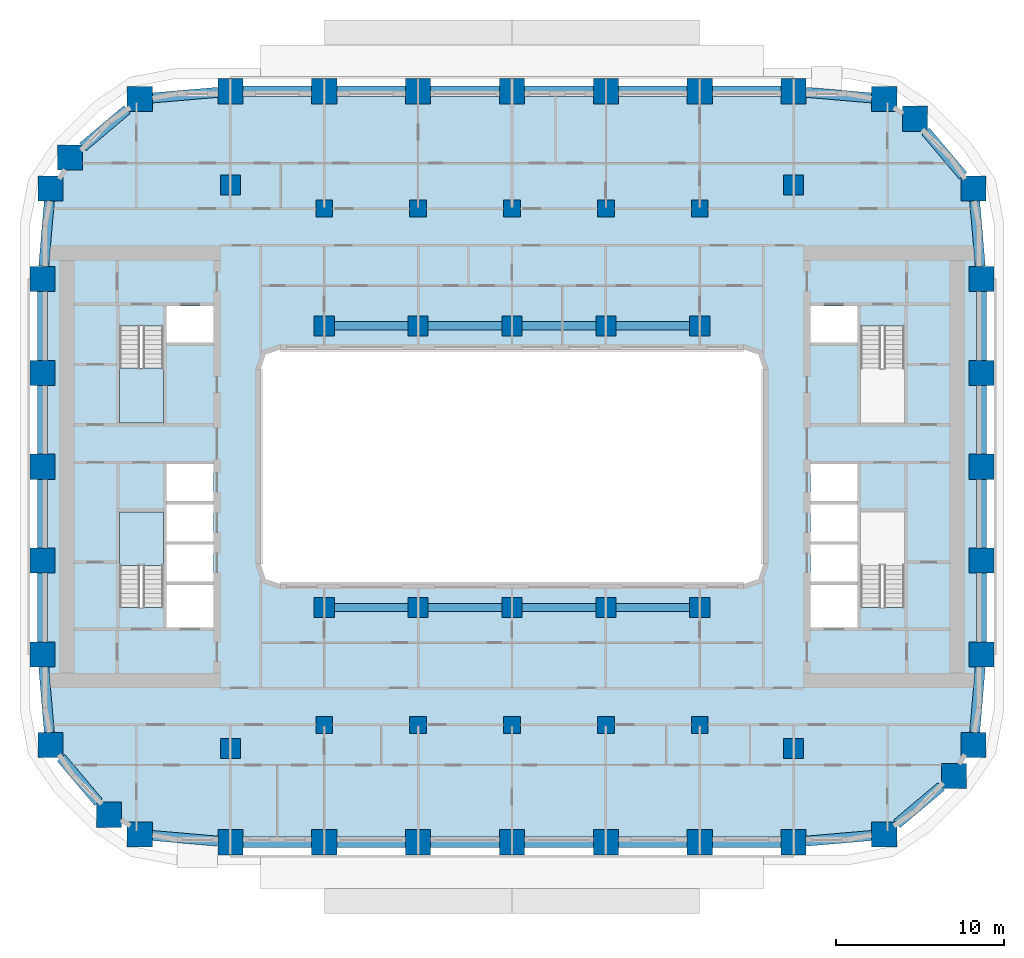
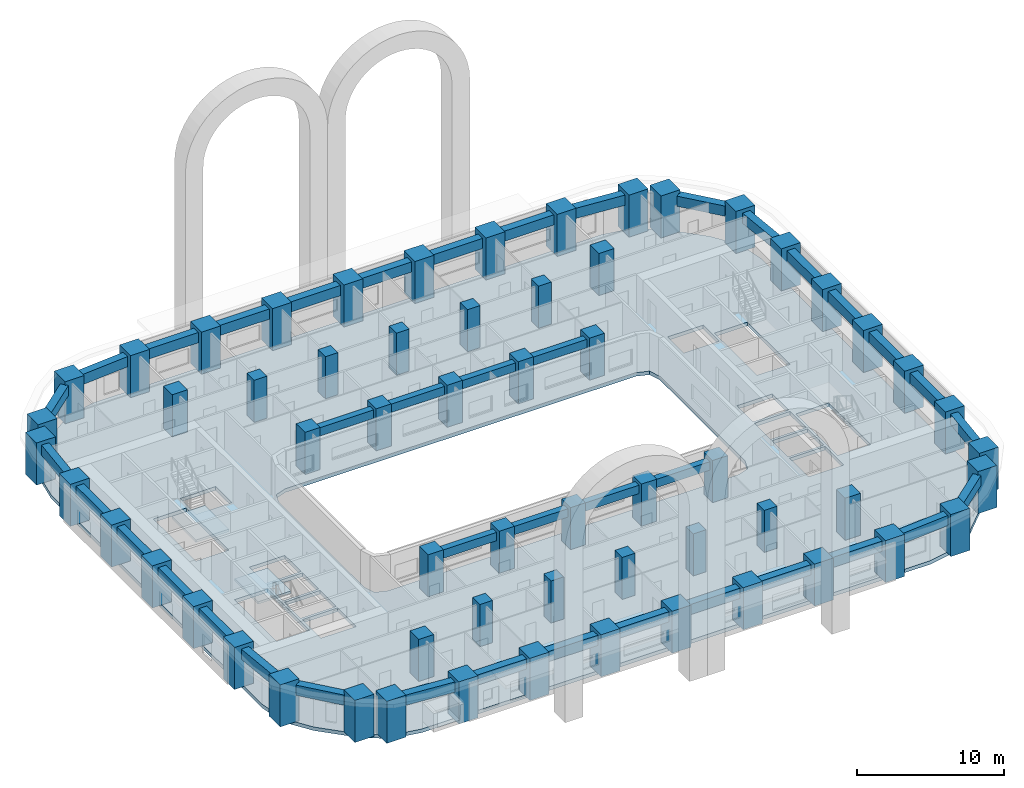
# One storey, part 1 of 21: 60 columns, 40 beams, 3 slabs, 2 elements without a shape of their own.
"""IFC4 building model written with IfcOpenShell, lengths in metres."""

import ifcopenshell
import ifcopenshell.guid

model = None  # the IFC model being written
_history = None  # IfcOwnerHistory: only IFC2X3 demands one
_inside = {}  # id of a spatial element -> (the spatial element, [elements in it])
_under = {}  # id of a project, library or spatial element -> (it, [spatial elements below it])
_declared = {}  # id of a project -> (the project, [libraries it declares])
_typed = {}  # id of a type object -> (the type object, [elements of that type])
_made_of = {}  # id of a material, layer set ... -> (it, [elements and type objects made of it])


def new_model(schema):
    """Start an empty IFC model of exactly this schema.

    Asked for "IFC4X3", IfcOpenShell would pick the latest addendum, in which some entities
    have other attributes; the version numbers below select the first issue.
    IFC2X3 requires an IfcOwnerHistory on every rooted entity: one is made here for all.
    """
    global model, _history
    if schema == "IFC4X3":
        model = ifcopenshell.file(schema_version=(4, 3, 0, 0))
    else:
        model = ifcopenshell.file(schema=schema)
    _inside.clear()
    _under.clear()
    _declared.clear()
    _typed.clear()
    _made_of.clear()
    _history = None
    if model.schema == "IFC2X3":
        org = make("IfcOrganization", Name="unknown")
        user = make(
            "IfcPersonAndOrganization",
            ThePerson=make("IfcPerson", FamilyName="unknown"),
            TheOrganization=org,
        )
        app = make(
            "IfcApplication",
            ApplicationDeveloper=org,
            Version="unknown",
            ApplicationFullName="unknown",
            ApplicationIdentifier="unknown",
        )
        _history = make(
            "IfcOwnerHistory",
            OwningUser=user,
            OwningApplication=app,
            ChangeAction="ADDED",
            CreationDate=0,
        )
    return model


def make(cls, **values):
    """One entity of the class cls with the attributes given. An attribute that is None is left unset."""
    return model.create_entity(
        cls, **{name: value for name, value in values.items() if value is not None}
    )


def rooted(cls, **values):
    """An entity with a GlobalId (a new one), such as an element, a storey or a relation."""
    return make(cls, GlobalId=ifcopenshell.guid.new(), OwnerHistory=_history, **values)


def si_unit(unit_type, name, prefix=None):
    """IfcSIUnit, for example si_unit("LENGTHUNIT", "METRE", prefix="MILLI")."""
    return make("IfcSIUnit", UnitType=unit_type, Prefix=prefix, Name=name)


def assignment(units):
    """IfcUnitAssignment: the units of a project."""
    return None if units is None else make("IfcUnitAssignment", Units=units)


def point(xyz):
    """IfcCartesianPoint."""
    return None if xyz is None else make("IfcCartesianPoint", Coordinates=xyz)


def direction(xyz):
    """IfcDirection."""
    return None if xyz is None else make("IfcDirection", DirectionRatios=xyz)


def frame(location, z_axis=None, x_axis=None):
    """IfcAxis2Placement3D, a coordinate frame: its origin and axes. An axis left out is left unset."""
    return make(
        "IfcAxis2Placement3D",
        Location=point(location),
        Axis=direction(z_axis),
        RefDirection=direction(x_axis),
    )


def frame_2d(location, x_axis=None):
    """IfcAxis2Placement2D, a coordinate frame in the plane: its origin and x axis."""
    return make(
        "IfcAxis2Placement2D", Location=point(location), RefDirection=direction(x_axis)
    )


def origin():
    """The frame at (0, 0, 0) with its axes left unset."""
    return frame((0.0, 0.0, 0.0))


def origin_2d():
    """The frame at (0, 0) in the plane with its x axis left unset."""
    return frame_2d((0.0, 0.0))


def place(relative_to, where):
    """IfcLocalPlacement: puts the frame where relative to a parent placement (None: the world)."""
    return make(
        "IfcLocalPlacement", PlacementRelTo=relative_to, RelativePlacement=where
    )


def context(
    kind, dimensions, precision=None, world=None, true_north=None, identifier=None
):
    """IfcGeometricRepresentationContext, for example the 3D "Model" context."""
    return make(
        "IfcGeometricRepresentationContext",
        ContextIdentifier=identifier,
        ContextType=kind,
        CoordinateSpaceDimension=dimensions,
        Precision=precision,
        WorldCoordinateSystem=world,
        TrueNorth=true_north,
    )


def subcontext(parent, identifier, kind, view, scale=None):
    """IfcGeometricRepresentationSubContext, for example "Body" below "Model"."""
    return make(
        "IfcGeometricRepresentationSubContext",
        ContextIdentifier=identifier,
        ContextType=kind,
        ParentContext=parent,
        TargetScale=scale,
        TargetView=view,
    )


def project(units=None, contexts=None):
    """IfcProject with its units and contexts."""
    return rooted(
        "IfcProject",
        Name="project",
        RepresentationContexts=contexts,
        UnitsInContext=assignment(units),
    )


def spatial(cls, under=None, at=None, **own):
    """A site, building, storey or space (cls), placed at a placement, below another one or the project."""
    s = rooted(cls, ObjectPlacement=at, **own)
    if under is not None:
        _under.setdefault(under.id(), (under, []))[1].append(s)
    return s


def polyline(points):
    """IfcPolyline through the points."""
    return make("IfcPolyline", Points=[point(p) for p in points])


def profile(cls, at=None, kind="AREA", **sizes):
    """A parametric profile (cls). Its sizes go by their IFC names, for example OverallWidth=200.0."""
    return make(cls, ProfileType=kind, Position=at, **sizes)


def rectangle(**sizes):
    """IfcRectangleProfileDef."""
    return profile("IfcRectangleProfileDef", **sizes)


def outline(outer, holes=None, kind="AREA"):
    """IfcArbitraryClosedProfileDef: a profile drawn as a closed curve; with holes, ...WithVoids."""
    if holes is None:
        return make("IfcArbitraryClosedProfileDef", ProfileType=kind, OuterCurve=outer)
    return make(
        "IfcArbitraryProfileDefWithVoids",
        ProfileType=kind,
        OuterCurve=outer,
        InnerCurves=holes,
    )


def extrude(swept, where, along, depth):
    """IfcExtrudedAreaSolid: the profile swept, set in the frame where, extruded along a direction by depth."""
    return make(
        "IfcExtrudedAreaSolid",
        SweptArea=swept,
        Position=where,
        ExtrudedDirection=direction(along),
        Depth=depth,
    )


def shape(context_of_items, identifier, shape_type, items):
    """IfcShapeRepresentation: the items that make up one representation, for example the "Body"."""
    return make(
        "IfcShapeRepresentation",
        ContextOfItems=context_of_items,
        RepresentationIdentifier=identifier,
        RepresentationType=shape_type,
        Items=items,
    )


def material(Name=None, Category=None):
    """IfcMaterial."""
    return make("IfcMaterial", Name=Name, Category=Category)


def layer(
    of_material, thickness, ventilated=None, Name=None, Category=None, Priority=None
):
    """IfcMaterialLayer: one layer of a wall or slab, of a material (None: an air gap)."""
    return make(
        "IfcMaterialLayer",
        Material=of_material,
        LayerThickness=thickness,
        IsVentilated=ventilated,
        Name=Name,
        Category=Category,
        Priority=Priority,
    )


def layer_set(layers, Name=None):
    """IfcMaterialLayerSet."""
    return make("IfcMaterialLayerSet", MaterialLayers=layers, LayerSetName=Name)


def material_profile(
    of_material, cross_section, Name=None, Category=None, Priority=None
):
    """IfcMaterialProfile: a cross section and its material."""
    return make(
        "IfcMaterialProfile",
        Name=Name,
        Material=of_material,
        Profile=cross_section,
        Priority=Priority,
        Category=Category,
    )


def profile_set(profiles, Name=None, composite=None):
    """IfcMaterialProfileSet."""
    return make(
        "IfcMaterialProfileSet",
        Name=Name,
        MaterialProfiles=profiles,
        CompositeProfile=composite,
    )


def made_of(thing, what):
    """Note that an element or type object is made of a material, layer set ...; save() writes the relation."""
    if what is not None:
        _made_of.setdefault(what.id(), (what, []))[1].append(thing)
    return thing


def type_object(cls, material=None, **own):
    """A type object (cls), such as IfcWallType, which elements share."""
    return made_of(rooted(cls, **own), material)


def element(
    cls,
    number,
    at=None,
    inside=None,
    cuts=None,
    type_object=None,
    material=None,
    context=None,
    identifier="Body",
    shape_type=None,
    held_by="IfcProductDefinitionShape",
    body=None,
    shapes=None,
    **own,
):
    """One element of the class cls, such as IfcWall. Its Tag is "e" and its number.

    at: its placement. inside: the storey or other place that contains it. cuts: it is an
    opening in that element (IfcRelVoidsElement). A single representation is given by context,
    identifier, shape_type and body (its items); several are given by shapes. held_by: the class
    of the entity that holds the representations. save() writes the other relations.
    """
    e = rooted(cls, Tag="e%d" % number, ObjectPlacement=at, **own)
    if body is not None:
        shapes = [shape(context, identifier, shape_type, body)]
    if shapes is not None:
        e.Representation = make(held_by, Representations=shapes)
    if inside is not None:
        _inside.setdefault(inside.id(), (inside, []))[1].append(e)
    if cuts is not None:
        rooted(
            "IfcRelVoidsElement", RelatingBuildingElement=cuts, RelatedOpeningElement=e
        )
    if type_object is not None:
        _typed.setdefault(type_object.id(), (type_object, []))[1].append(e)
    return made_of(e, material)


def aggregate(whole, parts):
    """IfcRelAggregates: a whole, such as a stair, and the parts it consists of."""
    return rooted("IfcRelAggregates", RelatingObject=whole, RelatedObjects=parts)


def save(model, path):
    """Write the relations noted so far, then the file.

    IfcRelAggregates (storeys below a building ...), IfcRelContainedInSpatialStructure (elements
    in a storey), IfcRelDefinesByType, IfcRelAssociatesMaterial and IfcRelDeclares: one each for
    every whole, place, type object, material and project.
    """
    for whole, parts in _under.values():
        aggregate(whole, parts)
    for where, things in _inside.values():
        rooted(
            "IfcRelContainedInSpatialStructure",
            RelatedElements=things,
            RelatingStructure=where,
        )
    for kind, things in _typed.values():
        rooted("IfcRelDefinesByType", RelatedObjects=things, RelatingType=kind)
    for what, things in _made_of.values():
        rooted("IfcRelAssociatesMaterial", RelatedObjects=things, RelatingMaterial=what)
    for by, libraries in _declared.values():
        rooted("IfcRelDeclares", RelatingContext=by, RelatedDefinitions=libraries)
    model.write(path)


model = new_model("IFC4")

# Units and contexts
model_context = context("Model", 3, precision=1e-05, world=origin(), true_north=direction((0.0, 1.0)))
body_context = subcontext(model_context, "Body", "Model", "MODEL_VIEW")
ifc_project = project(units=[si_unit("LENGTHUNIT", "METRE"), si_unit("AREAUNIT", "SQUARE_METRE"), si_unit("VOLUMEUNIT", "CUBIC_METRE"), si_unit("PLANEANGLEUNIT", "RADIAN"), si_unit("MASSUNIT", "GRAM", prefix="KILO")], contexts=[model_context])

# Site, building, storey
site_placement = place(None, origin())
site = spatial("IfcSite", under=ifc_project, at=site_placement, CompositionType="ELEMENT")
building_placement = place(site_placement, origin())
building = spatial("IfcBuilding", under=site, at=building_placement, Name="Kiln Ring Residences", CompositionType="ELEMENT")
storey_placement = place(building_placement, frame((0.0, 0.0, 51.5)))
storey = spatial("IfcBuildingStorey", under=building, at=storey_placement, Name="L12", CompositionType="ELEMENT", Elevation=51.5)

# Columns
ifc_material_1 = material(Name="Concrete C80/95", Category="concrete")
ifc_material_profile_1 = material_profile(ifc_material_1, rectangle(XDim=1.0, YDim=1.0, at=origin_2d()), Name="RC1000x1000")
ifc_profile_set_1 = profile_set([ifc_material_profile_1], Name="Concrete C80/95")
column_type_1 = type_object("IfcColumnType", Name="Corridor column RC1000x1000 C80/95", PredefinedType="COLUMN", material=ifc_profile_set_1)
for number, where, z_axis, x_axis, name in (
    (1, (-11.199951171875, 15.39990234375, 0.0), (0.0, 0.0, 1.0), (1.0, 0.0, 0.0), "Corridor column L12 1"),
    (2, (-5.60009765625, 15.39990234375, 0.0), (0.0, 0.0, 1.0), (1.0, 0.0, 0.0), "Corridor column L12 2"),
    (3, (0.0, 15.39990234375, 0.0), (0.0, 0.0, 1.0), (1.0, 0.0, 0.0), "Corridor column L12 3"),
    (4, (5.60009765625, 15.39990234375, 0.0), (0.0, 0.0, 1.0), (1.0, 0.0, 0.0), "Corridor column L12 4"),
    (5, (11.199951171875, 15.39990234375, 0.0), (0.0, 0.0, 1.0), (1.0, 0.0, 0.0), "Corridor column L12 5"),
    (6, (-11.199951171875, -15.39990234375, 0.0), (0.0, 0.0, 1.0), (1.0, 0.0, 0.0), "Corridor column L12 6"),
    (7, (-5.60009765625, -15.39990234375, 0.0), (0.0, 0.0, 1.0), (1.0, 0.0, 0.0), "Corridor column L12 7"),
    (8, (0.0, -15.39990234375, 0.0), (0.0, 0.0, 1.0), (1.0, 0.0, 0.0), "Corridor column L12 8"),
    (9, (5.60009765625, -15.39990234375, 0.0), (0.0, 0.0, 1.0), (1.0, 0.0, 0.0), "Corridor column L12 9"),
    (10, (11.199951171875, -15.39990234375, 0.0), (0.0, 0.0, 1.0), (1.0, 0.0, 0.0), "Corridor column L12 10"),
):
    element("IfcColumn", number, at=place(storey_placement, frame(where, z_axis=z_axis, x_axis=x_axis)), inside=storey, type_object=column_type_1, Name=name, PredefinedType="COLUMN", context=body_context, shape_type="SweptSolid", body=[
        extrude(rectangle(XDim=1.0, YDim=1.0, at=origin_2d()), origin(), (0.0, 0.0, 1.0), 3.5),
    ])
ifc_material_2 = material(Name="Concrete C80/95", Category="concrete")
ifc_material_profile_2 = material_profile(ifc_material_2, rectangle(XDim=1.5, YDim=1.5, at=origin_2d()), Name="RC1500x1500")
ifc_profile_set_2 = profile_set([ifc_material_profile_2], Name="Concrete C80/95")
column_type_2 = type_object("IfcColumnType", Name="Perimeter column RC1500x1500 C80/95", PredefinedType="COLUMN", material=ifc_profile_set_2)
for number, where, z_axis, x_axis, name in (
    (11, (-22.208740234375, -21.93798828125, 0.0), (0.0, 0.0, 1.0), (1.0, 0.0, 0.0), "Perimeter column L12 1"),
    (12, (-16.800048828125, -22.39990234375, 0.0), (0.0, 0.0, 1.0), (1.0, 0.0, 0.0), "Perimeter column L12 2"),
    (13, (-11.199951171875, -22.39990234375, 0.0), (0.0, 0.0, 1.0), (1.0, 0.0, 0.0), "Perimeter column L12 3"),
    (14, (-5.60009765625, -22.39990234375, 0.0), (0.0, 0.0, 1.0), (1.0, 0.0, 0.0), "Perimeter column L12 4"),
    (15, (0.0, -22.39990234375, 0.0), (0.0, 0.0, 1.0), (1.0, 0.0, 0.0), "Perimeter column L12 5"),
    (16, (5.60009765625, -22.39990234375, 0.0), (0.0, 0.0, 1.0), (1.0, 0.0, 0.0), "Perimeter column L12 6"),
    (17, (11.199951171875, -22.39990234375, 0.0), (0.0, 0.0, 1.0), (1.0, 0.0, 0.0), "Perimeter column L12 7"),
    (18, (16.800048828125, -22.39990234375, 0.0), (0.0, 0.0, 1.0), (1.0, 0.0, 0.0), "Perimeter column L12 8"),
    (19, (22.208740234375, -21.93798828125, 0.0), (0.0, 0.0, 1.0), (1.0, 0.0, 0.0), "Perimeter column L12 9"),
    (20, (26.35986328125, -18.440185546875, 0.0), (0.0, 0.0, 1.0), (1.0, 0.0, 0.0), "Perimeter column L12 10"),
    (21, (27.5380859375, -16.608642578125, 0.0), (0.0, 0.0, 1.0), (1.0, 0.0, 0.0), "Perimeter column L12 11"),
    (22, (28.0, -11.199951171875, 0.0), (0.0, 0.0, 1.0), (1.0, 0.0, 0.0), "Perimeter column L12 12"),
    (23, (28.0, -5.60009765625, 0.0), (0.0, 0.0, 1.0), (1.0, 0.0, 0.0), "Perimeter column L12 13"),
    (24, (28.0, 0.0, 0.0), (0.0, 0.0, 1.0), (1.0, 0.0, 0.0), "Perimeter column L12 14"),
    (25, (28.0, 5.60009765625, 0.0), (0.0, 0.0, 1.0), (1.0, 0.0, 0.0), "Perimeter column L12 15"),
    (26, (28.0, 11.199951171875, 0.0), (0.0, 0.0, 1.0), (1.0, 0.0, 0.0), "Perimeter column L12 16"),
    (27, (27.5380859375, 16.608642578125, 0.0), (0.0, 0.0, 1.0), (1.0, 0.0, 0.0), "Perimeter column L12 17"),
    (28, (24.040283203125, 20.759765625, 0.0), (0.0, 0.0, 1.0), (1.0, 0.0, 0.0), "Perimeter column L12 18"),
    (29, (22.208740234375, 21.93798828125, 0.0), (0.0, 0.0, 1.0), (1.0, 0.0, 0.0), "Perimeter column L12 19"),
    (30, (16.800048828125, 22.39990234375, 0.0), (0.0, 0.0, 1.0), (1.0, 0.0, 0.0), "Perimeter column L12 20"),
    (31, (11.199951171875, 22.39990234375, 0.0), (0.0, 0.0, 1.0), (1.0, 0.0, 0.0), "Perimeter column L12 21"),
    (32, (5.60009765625, 22.39990234375, 0.0), (0.0, 0.0, 1.0), (1.0, 0.0, 0.0), "Perimeter column L12 22"),
    (33, (0.0, 22.39990234375, 0.0), (0.0, 0.0, 1.0), (1.0, 0.0, 0.0), "Perimeter column L12 23"),
    (34, (-5.60009765625, 22.39990234375, 0.0), (0.0, 0.0, 1.0), (1.0, 0.0, 0.0), "Perimeter column L12 24"),
    (35, (-11.199951171875, 22.39990234375, 0.0), (0.0, 0.0, 1.0), (1.0, 0.0, 0.0), "Perimeter column L12 25"),
    (36, (-16.800048828125, 22.39990234375, 0.0), (0.0, 0.0, 1.0), (1.0, 0.0, 0.0), "Perimeter column L12 26"),
    (37, (-22.208740234375, 21.93798828125, 0.0), (0.0, 0.0, 1.0), (1.0, 0.0, 0.0), "Perimeter column L12 27"),
    (38, (-26.35986328125, 18.440185546875, 0.0), (0.0, 0.0, 1.0), (1.0, 0.0, 0.0), "Perimeter column L12 28"),
    (39, (-27.5380859375, 16.608642578125, 0.0), (0.0, 0.0, 1.0), (1.0, 0.0, 0.0), "Perimeter column L12 29"),
    (40, (-28.0, 11.199951171875, 0.0), (0.0, 0.0, 1.0), (1.0, 0.0, 0.0), "Perimeter column L12 30"),
    (41, (-28.0, 5.60009765625, 0.0), (0.0, 0.0, 1.0), (1.0, 0.0, 0.0), "Perimeter column L12 31"),
    (42, (-28.0, 0.0, 0.0), (0.0, 0.0, 1.0), (1.0, 0.0, 0.0), "Perimeter column L12 32"),
    (43, (-28.0, -5.60009765625, 0.0), (0.0, 0.0, 1.0), (1.0, 0.0, 0.0), "Perimeter column L12 33"),
    (44, (-28.0, -11.199951171875, 0.0), (0.0, 0.0, 1.0), (1.0, 0.0, 0.0), "Perimeter column L12 34"),
    (45, (-27.5380859375, -16.608642578125, 0.0), (0.0, 0.0, 1.0), (1.0, 0.0, 0.0), "Perimeter column L12 35"),
    (46, (-24.040283203125, -20.759765625, 0.0), (0.0, 0.0, 1.0), (1.0, 0.0, 0.0), "Perimeter column L12 36"),
):
    element("IfcColumn", number, at=place(storey_placement, frame(where, z_axis=z_axis, x_axis=x_axis)), inside=storey, type_object=column_type_2, Name=name, PredefinedType="COLUMN", context=body_context, shape_type="SweptSolid", body=[
        extrude(rectangle(XDim=1.5, YDim=1.5, at=origin_2d()), origin(), (0.0, 0.0, 1.0), 3.5),
    ])
ifc_material_3 = material(Name="Concrete C80/95", Category="concrete")
ifc_material_profile_3 = material_profile(ifc_material_3, rectangle(XDim=1.199951171875, YDim=1.199951171875, at=origin_2d()), Name="RC1200x1200")
ifc_profile_set_3 = profile_set([ifc_material_profile_3], Name="Concrete C80/95")
column_type_3 = type_object("IfcColumnType", Name="Ring column RC1200x1200 C80/95", PredefinedType="COLUMN", material=ifc_profile_set_3)
for number, where, z_axis, x_axis, name in (
    (47, (-16.800048828125, -16.800048828125, 0.0), (0.0, 0.0, 1.0), (1.0, 0.0, 0.0), "Ring column L12 1"),
    (48, (-16.800048828125, 16.800048828125, 0.0), (0.0, 0.0, 1.0), (1.0, 0.0, 0.0), "Ring column L12 2"),
    (49, (-11.199951171875, -8.39990234375, 0.0), (0.0, 0.0, 1.0), (1.0, 0.0, 0.0), "Ring column L12 3"),
    (50, (-11.199951171875, 8.39990234375, 0.0), (0.0, 0.0, 1.0), (1.0, 0.0, 0.0), "Ring column L12 4"),
    (51, (-5.60009765625, -8.39990234375, 0.0), (0.0, 0.0, 1.0), (1.0, 0.0, 0.0), "Ring column L12 5"),
    (52, (-5.60009765625, 8.39990234375, 0.0), (0.0, 0.0, 1.0), (1.0, 0.0, 0.0), "Ring column L12 6"),
    (53, (0.0, -8.39990234375, 0.0), (0.0, 0.0, 1.0), (1.0, 0.0, 0.0), "Ring column L12 7"),
    (54, (0.0, 8.39990234375, 0.0), (0.0, 0.0, 1.0), (1.0, 0.0, 0.0), "Ring column L12 8"),
    (55, (5.60009765625, -8.39990234375, 0.0), (0.0, 0.0, 1.0), (1.0, 0.0, 0.0), "Ring column L12 9"),
    (56, (5.60009765625, 8.39990234375, 0.0), (0.0, 0.0, 1.0), (1.0, 0.0, 0.0), "Ring column L12 10"),
    (57, (11.199951171875, -8.39990234375, 0.0), (0.0, 0.0, 1.0), (1.0, 0.0, 0.0), "Ring column L12 11"),
    (58, (11.199951171875, 8.39990234375, 0.0), (0.0, 0.0, 1.0), (1.0, 0.0, 0.0), "Ring column L12 12"),
    (59, (16.800048828125, -16.800048828125, 0.0), (0.0, 0.0, 1.0), (1.0, 0.0, 0.0), "Ring column L12 13"),
    (60, (16.800048828125, 16.800048828125, 0.0), (0.0, 0.0, 1.0), (1.0, 0.0, 0.0), "Ring column L12 14"),
):
    element("IfcColumn", number, at=place(storey_placement, frame(where, z_axis=z_axis, x_axis=x_axis)), inside=storey, type_object=column_type_3, Name=name, PredefinedType="COLUMN", context=body_context, shape_type="SweptSolid", body=[
        extrude(rectangle(XDim=1.199951171875, YDim=1.199951171875, at=origin_2d()), origin(), (0.0, 0.0, 1.0), 3.5),
    ])

# Beams
ifc_material_4 = material(Name="Concrete C50/60", Category="concrete")
ifc_material_profile_4 = material_profile(ifc_material_4, rectangle(XDim=0.5, YDim=0.699951171875, at=origin_2d()), Name="RC500x700")
ifc_profile_set_4 = profile_set([ifc_material_profile_4], Name="Concrete C50/60")
beam_type_1 = type_object("IfcBeamType", Name="Ring beam RC500x700 C50/60", PredefinedType="BEAM", material=ifc_profile_set_4)
beam_1_placement = place(storey_placement, frame((-10.60009765625, -8.39990234375, 2.85009765625), z_axis=(1.0, 0.0, 0.0), x_axis=(0.0, 1.0, 0.0)))
element("IfcBeam", 61, at=beam_1_placement, inside=storey, type_object=beam_type_1, Name="Ring beam L12 1", PredefinedType="BEAM", context=body_context, shape_type="SweptSolid", body=[
    extrude(rectangle(XDim=0.5, YDim=0.699951171875, at=origin_2d()), origin(), (0.0, 0.0, 1.0), 4.400146484375),
])
for number, where, z_axis, x_axis, name in (
    (62, (-5.0, -8.39990234375, 2.85009765625), (1.0, 0.0, 0.0), (0.0, 1.0, 0.0), "Ring beam L12 2"),
    (63, (0.60009765625, -8.39990234375, 2.85009765625), (1.0, 0.0, 0.0), (0.0, 1.0, 0.0), "Ring beam L12 3"),
):
    element("IfcBeam", number, at=place(storey_placement, frame(where, z_axis=z_axis, x_axis=x_axis)), inside=storey, type_object=beam_type_1, Name=name, PredefinedType="BEAM", context=body_context, shape_type="SweptSolid", body=[
        extrude(rectangle(XDim=0.5, YDim=0.699951171875, at=origin_2d()), origin(), (0.0, 0.0, 1.0), 4.39990234375),
    ])
for number, where, z_axis, x_axis, name in (
    (64, (6.199951171875, -8.39990234375, 2.85009765625), (1.0, 0.0, 0.0), (0.0, 1.0, 0.0), "Ring beam L12 4"),
    (65, (-10.60009765625, 8.39990234375, 2.85009765625), (1.0, 0.0, 0.0), (0.0, 1.0, 0.0), "Ring beam L12 5"),
):
    element("IfcBeam", number, at=place(storey_placement, frame(where, z_axis=z_axis, x_axis=x_axis)), inside=storey, type_object=beam_type_1, Name=name, PredefinedType="BEAM", context=body_context, shape_type="SweptSolid", body=[
        extrude(rectangle(XDim=0.5, YDim=0.699951171875, at=origin_2d()), origin(), (0.0, 0.0, 1.0), 4.400146484375),
    ])
for number, where, z_axis, x_axis, name in (
    (66, (-5.0, 8.39990234375, 2.85009765625), (1.0, 0.0, 0.0), (0.0, 1.0, 0.0), "Ring beam L12 6"),
    (67, (0.60009765625, 8.39990234375, 2.85009765625), (1.0, 0.0, 0.0), (0.0, 1.0, 0.0), "Ring beam L12 7"),
):
    element("IfcBeam", number, at=place(storey_placement, frame(where, z_axis=z_axis, x_axis=x_axis)), inside=storey, type_object=beam_type_1, Name=name, PredefinedType="BEAM", context=body_context, shape_type="SweptSolid", body=[
        extrude(rectangle(XDim=0.5, YDim=0.699951171875, at=origin_2d()), origin(), (0.0, 0.0, 1.0), 4.39990234375),
    ])
beam_2_placement = place(storey_placement, frame((6.199951171875, 8.39990234375, 2.85009765625), z_axis=(1.0, 0.0, 0.0), x_axis=(0.0, 1.0, 0.0)))
element("IfcBeam", 68, at=beam_2_placement, inside=storey, type_object=beam_type_1, Name="Ring beam L12 8", PredefinedType="BEAM", context=body_context, shape_type="SweptSolid", body=[
    extrude(rectangle(XDim=0.5, YDim=0.699951171875, at=origin_2d()), origin(), (0.0, 0.0, 1.0), 4.400146484375),
])
ifc_material_5 = material(Name="Concrete C50/60", Category="concrete")
ifc_material_profile_5 = material_profile(ifc_material_5, rectangle(XDim=0.60009765625, YDim=0.85009765625, at=origin_2d()), Name="RC600x850")
ifc_profile_set_5 = profile_set([ifc_material_profile_5], Name="Concrete C50/60")
beam_type_2 = type_object("IfcBeamType", Name="Spandrel beam RC600x850 C50/60", PredefinedType="SPANDREL", material=ifc_profile_set_5)
beam_3_placement = place(storey_placement, frame((-21.458740234375, -22.002197265625, 2.77490234375), z_axis=(0.996374585929, -0.085074582072, 0.0), x_axis=(0.085074582072, 0.996374585929, 0.0)))
element("IfcBeam", 69, at=beam_3_placement, inside=storey, type_object=beam_type_2, Name="Spandrel beam L12 1", PredefinedType="SPANDREL", context=body_context, shape_type="SweptSolid", body=[
    extrude(rectangle(XDim=0.60009765625, YDim=0.85009765625, at=origin_2d()), origin(), (0.0, 0.0, 1.0), 3.9228515625),
])
beam_4_placement = place(storey_placement, frame((-16.050048828125, -22.39990234375, 2.77490234375), z_axis=(1.0, 0.0, 0.0), x_axis=(0.0, 1.0, 0.0)))
element("IfcBeam", 70, at=beam_4_placement, inside=storey, type_object=beam_type_2, Name="Spandrel beam L12 2", PredefinedType="SPANDREL", context=body_context, shape_type="SweptSolid", body=[
    extrude(rectangle(XDim=0.60009765625, YDim=0.85009765625, at=origin_2d()), origin(), (0.0, 0.0, 1.0), 4.10009765625),
])
beam_5_placement = place(storey_placement, frame((-10.449951171875, -22.39990234375, 2.77490234375), z_axis=(1.0, 0.0, 0.0), x_axis=(0.0, 1.0, 0.0)))
element("IfcBeam", 71, at=beam_5_placement, inside=storey, type_object=beam_type_2, Name="Spandrel beam L12 3", PredefinedType="SPANDREL", context=body_context, shape_type="SweptSolid", body=[
    extrude(rectangle(XDim=0.60009765625, YDim=0.85009765625, at=origin_2d()), origin(), (0.0, 0.0, 1.0), 4.099853515625),
])
for number, where, z_axis, x_axis, name in (
    (72, (-4.85009765625, -22.39990234375, 2.77490234375), (1.0, 0.0, 0.0), (0.0, 1.0, 0.0), "Spandrel beam L12 4"),
    (73, (0.75, -22.39990234375, 2.77490234375), (1.0, 0.0, 0.0), (0.0, 1.0, 0.0), "Spandrel beam L12 5"),
):
    element("IfcBeam", number, at=place(storey_placement, frame(where, z_axis=z_axis, x_axis=x_axis)), inside=storey, type_object=beam_type_2, Name=name, PredefinedType="SPANDREL", context=body_context, shape_type="SweptSolid", body=[
        extrude(rectangle(XDim=0.60009765625, YDim=0.85009765625, at=origin_2d()), origin(), (0.0, 0.0, 1.0), 4.10009765625),
    ])
beam_6_placement = place(storey_placement, frame((6.35009765625, -22.39990234375, 2.77490234375), z_axis=(1.0, 0.0, 0.0), x_axis=(0.0, 1.0, 0.0)))
element("IfcBeam", 74, at=beam_6_placement, inside=storey, type_object=beam_type_2, Name="Spandrel beam L12 6", PredefinedType="SPANDREL", context=body_context, shape_type="SweptSolid", body=[
    extrude(rectangle(XDim=0.60009765625, YDim=0.85009765625, at=origin_2d()), origin(), (0.0, 0.0, 1.0), 4.099853515625),
])
beam_7_placement = place(storey_placement, frame((11.949951171875, -22.39990234375, 2.77490234375), z_axis=(1.0, 0.0, 0.0), x_axis=(0.0, 1.0, 0.0)))
element("IfcBeam", 75, at=beam_7_placement, inside=storey, type_object=beam_type_2, Name="Spandrel beam L12 7", PredefinedType="SPANDREL", context=body_context, shape_type="SweptSolid", body=[
    extrude(rectangle(XDim=0.60009765625, YDim=0.85009765625, at=origin_2d()), origin(), (0.0, 0.0, 1.0), 4.10009765625),
])
beam_8_placement = place(storey_placement, frame((17.550048828125, -22.3359375, 2.77490234375), z_axis=(0.996374585929, 0.085074582072, 0.0), x_axis=(-0.085074582072, 0.996374585929, 0.0)))
element("IfcBeam", 76, at=beam_8_placement, inside=storey, type_object=beam_type_2, Name="Spandrel beam L12 8", PredefinedType="SPANDREL", context=body_context, shape_type="SweptSolid", body=[
    extrude(rectangle(XDim=0.60009765625, YDim=0.85009765625, at=origin_2d()), origin(), (0.0, 0.0, 1.0), 3.9228515625),
])
beam_9_placement = place(storey_placement, frame((22.958740234375, -21.30615234375, 2.77490234375), z_axis=(0.76471758739, 0.644365588417, 0.0), x_axis=(-0.644365588417, 0.76471758739, 0.0)))
element("IfcBeam", 77, at=beam_9_placement, inside=storey, type_object=beam_type_2, Name="Spandrel beam L12 9", PredefinedType="SPANDREL", context=body_context, shape_type="SweptSolid", body=[
    extrude(rectangle(XDim=0.60009765625, YDim=0.85009765625, at=origin_2d()), origin(), (0.0, 0.0, 1.0), 3.466796875),
])
beam_10_placement = place(storey_placement, frame((27.60205078125, -15.858642578125, 2.77490234375), z_axis=(0.085136365662, 0.996369308661, 0.0), x_axis=(-0.996369308661, 0.085136365662, 0.0)))
element("IfcBeam", 78, at=beam_10_placement, inside=storey, type_object=beam_type_2, Name="Spandrel beam L12 10", PredefinedType="SPANDREL", context=body_context, shape_type="SweptSolid", body=[
    extrude(rectangle(XDim=0.60009765625, YDim=0.85009765625, at=origin_2d()), origin(), (0.0, 0.0, 1.0), 3.9228515625),
])
beam_11_placement = place(storey_placement, frame((28.0, -10.449951171875, 2.77490234375), z_axis=(0.0, 1.0, 0.0), x_axis=(-1.0, 0.0, 0.0)))
element("IfcBeam", 79, at=beam_11_placement, inside=storey, type_object=beam_type_2, Name="Spandrel beam L12 11", PredefinedType="SPANDREL", context=body_context, shape_type="SweptSolid", body=[
    extrude(rectangle(XDim=0.60009765625, YDim=0.85009765625, at=origin_2d()), origin(), (0.0, 0.0, 1.0), 4.099853515625),
])
for number, where, z_axis, x_axis, name in (
    (80, (28.0, -4.85009765625, 2.77490234375), (0.0, 1.0, 0.0), (-1.0, 0.0, 0.0), "Spandrel beam L12 12"),
    (81, (28.0, 0.75, 2.77490234375), (0.0, 1.0, 0.0), (-1.0, 0.0, 0.0), "Spandrel beam L12 13"),
):
    element("IfcBeam", number, at=place(storey_placement, frame(where, z_axis=z_axis, x_axis=x_axis)), inside=storey, type_object=beam_type_2, Name=name, PredefinedType="SPANDREL", context=body_context, shape_type="SweptSolid", body=[
        extrude(rectangle(XDim=0.60009765625, YDim=0.85009765625, at=origin_2d()), origin(), (0.0, 0.0, 1.0), 4.10009765625),
    ])
beam_12_placement = place(storey_placement, frame((28.0, 6.35009765625, 2.77490234375), z_axis=(0.0, 1.0, 0.0), x_axis=(-1.0, 0.0, 0.0)))
element("IfcBeam", 82, at=beam_12_placement, inside=storey, type_object=beam_type_2, Name="Spandrel beam L12 14", PredefinedType="SPANDREL", context=body_context, shape_type="SweptSolid", body=[
    extrude(rectangle(XDim=0.60009765625, YDim=0.85009765625, at=origin_2d()), origin(), (0.0, 0.0, 1.0), 4.099853515625),
])
beam_13_placement = place(storey_placement, frame((27.93603515625, 11.949951171875, 2.77490234375), z_axis=(-0.085136365662, 0.996369308661, 0.0), x_axis=(-0.996369308661, -0.085136365662, 0.0)))
element("IfcBeam", 83, at=beam_13_placement, inside=storey, type_object=beam_type_2, Name="Spandrel beam L12 15", PredefinedType="SPANDREL", context=body_context, shape_type="SweptSolid", body=[
    extrude(rectangle(XDim=0.60009765625, YDim=0.85009765625, at=origin_2d()), origin(), (0.0, 0.0, 1.0), 3.9228515625),
])
beam_14_placement = place(storey_placement, frame((26.906005859375, 17.358642578125, 2.77490234375), z_axis=(-0.644365588417, 0.76471758739, 0.0), x_axis=(-0.76471758739, -0.644365588417, 0.0)))
element("IfcBeam", 84, at=beam_14_placement, inside=storey, type_object=beam_type_2, Name="Spandrel beam L12 16", PredefinedType="SPANDREL", context=body_context, shape_type="SweptSolid", body=[
    extrude(rectangle(XDim=0.60009765625, YDim=0.85009765625, at=origin_2d()), origin(), (0.0, 0.0, 1.0), 3.466796875),
])
beam_15_placement = place(storey_placement, frame((21.458740234375, 22.002197265625, 2.77490234375), z_axis=(-0.996374585929, 0.085074582072, 0.0), x_axis=(-0.085074582072, -0.996374585929, 0.0)))
element("IfcBeam", 85, at=beam_15_placement, inside=storey, type_object=beam_type_2, Name="Spandrel beam L12 17", PredefinedType="SPANDREL", context=body_context, shape_type="SweptSolid", body=[
    extrude(rectangle(XDim=0.60009765625, YDim=0.85009765625, at=origin_2d()), origin(), (0.0, 0.0, 1.0), 3.9228515625),
])
beam_16_placement = place(storey_placement, frame((16.050048828125, 22.39990234375, 2.77490234375), z_axis=(-1.0, 0.0, 0.0), x_axis=(0.0, -1.0, 0.0)))
element("IfcBeam", 86, at=beam_16_placement, inside=storey, type_object=beam_type_2, Name="Spandrel beam L12 18", PredefinedType="SPANDREL", context=body_context, shape_type="SweptSolid", body=[
    extrude(rectangle(XDim=0.60009765625, YDim=0.85009765625, at=origin_2d()), origin(), (0.0, 0.0, 1.0), 4.10009765625),
])
beam_17_placement = place(storey_placement, frame((10.449951171875, 22.39990234375, 2.77490234375), z_axis=(-1.0, 0.0, 0.0), x_axis=(0.0, -1.0, 0.0)))
element("IfcBeam", 87, at=beam_17_placement, inside=storey, type_object=beam_type_2, Name="Spandrel beam L12 19", PredefinedType="SPANDREL", context=body_context, shape_type="SweptSolid", body=[
    extrude(rectangle(XDim=0.60009765625, YDim=0.85009765625, at=origin_2d()), origin(), (0.0, 0.0, 1.0), 4.099853515625),
])
for number, where, z_axis, x_axis, name in (
    (88, (4.85009765625, 22.39990234375, 2.77490234375), (-1.0, 0.0, 0.0), (0.0, -1.0, 0.0), "Spandrel beam L12 20"),
    (89, (-0.75, 22.39990234375, 2.77490234375), (-1.0, 0.0, 0.0), (0.0, -1.0, 0.0), "Spandrel beam L12 21"),
):
    element("IfcBeam", number, at=place(storey_placement, frame(where, z_axis=z_axis, x_axis=x_axis)), inside=storey, type_object=beam_type_2, Name=name, PredefinedType="SPANDREL", context=body_context, shape_type="SweptSolid", body=[
        extrude(rectangle(XDim=0.60009765625, YDim=0.85009765625, at=origin_2d()), origin(), (0.0, 0.0, 1.0), 4.10009765625),
    ])
beam_18_placement = place(storey_placement, frame((-6.35009765625, 22.39990234375, 2.77490234375), z_axis=(-1.0, 0.0, 0.0), x_axis=(0.0, -1.0, 0.0)))
element("IfcBeam", 90, at=beam_18_placement, inside=storey, type_object=beam_type_2, Name="Spandrel beam L12 22", PredefinedType="SPANDREL", context=body_context, shape_type="SweptSolid", body=[
    extrude(rectangle(XDim=0.60009765625, YDim=0.85009765625, at=origin_2d()), origin(), (0.0, 0.0, 1.0), 4.099853515625),
])
beam_19_placement = place(storey_placement, frame((-11.949951171875, 22.39990234375, 2.77490234375), z_axis=(-1.0, 0.0, 0.0), x_axis=(0.0, -1.0, 0.0)))
element("IfcBeam", 91, at=beam_19_placement, inside=storey, type_object=beam_type_2, Name="Spandrel beam L12 23", PredefinedType="SPANDREL", context=body_context, shape_type="SweptSolid", body=[
    extrude(rectangle(XDim=0.60009765625, YDim=0.85009765625, at=origin_2d()), origin(), (0.0, 0.0, 1.0), 4.10009765625),
])
beam_20_placement = place(storey_placement, frame((-17.550048828125, 22.3359375, 2.77490234375), z_axis=(-0.996374585929, -0.085074582072, 0.0), x_axis=(0.085074582072, -0.996374585929, 0.0)))
element("IfcBeam", 92, at=beam_20_placement, inside=storey, type_object=beam_type_2, Name="Spandrel beam L12 24", PredefinedType="SPANDREL", context=body_context, shape_type="SweptSolid", body=[
    extrude(rectangle(XDim=0.60009765625, YDim=0.85009765625, at=origin_2d()), origin(), (0.0, 0.0, 1.0), 3.9228515625),
])
beam_21_placement = place(storey_placement, frame((-22.958740234375, 21.30615234375, 2.77490234375), z_axis=(-0.76471758739, -0.644365588417, 0.0), x_axis=(0.644365588417, -0.76471758739, 0.0)))
element("IfcBeam", 93, at=beam_21_placement, inside=storey, type_object=beam_type_2, Name="Spandrel beam L12 25", PredefinedType="SPANDREL", context=body_context, shape_type="SweptSolid", body=[
    extrude(rectangle(XDim=0.60009765625, YDim=0.85009765625, at=origin_2d()), origin(), (0.0, 0.0, 1.0), 3.466796875),
])
beam_22_placement = place(storey_placement, frame((-27.60205078125, 15.858642578125, 2.77490234375), z_axis=(-0.085136365662, -0.996369308661, 0.0), x_axis=(0.996369308661, -0.085136365662, 0.0)))
element("IfcBeam", 94, at=beam_22_placement, inside=storey, type_object=beam_type_2, Name="Spandrel beam L12 26", PredefinedType="SPANDREL", context=body_context, shape_type="SweptSolid", body=[
    extrude(rectangle(XDim=0.60009765625, YDim=0.85009765625, at=origin_2d()), origin(), (0.0, 0.0, 1.0), 3.9228515625),
])
beam_23_placement = place(storey_placement, frame((-28.0, 10.449951171875, 2.77490234375), z_axis=(0.0, -1.0, 0.0), x_axis=(1.0, 0.0, 0.0)))
element("IfcBeam", 95, at=beam_23_placement, inside=storey, type_object=beam_type_2, Name="Spandrel beam L12 27", PredefinedType="SPANDREL", context=body_context, shape_type="SweptSolid", body=[
    extrude(rectangle(XDim=0.60009765625, YDim=0.85009765625, at=origin_2d()), origin(), (0.0, 0.0, 1.0), 4.099853515625),
])
for number, where, z_axis, x_axis, name in (
    (96, (-28.0, 4.85009765625, 2.77490234375), (0.0, -1.0, 0.0), (1.0, 0.0, 0.0), "Spandrel beam L12 28"),
    (97, (-28.0, -0.75, 2.77490234375), (0.0, -1.0, 0.0), (1.0, 0.0, 0.0), "Spandrel beam L12 29"),
):
    element("IfcBeam", number, at=place(storey_placement, frame(where, z_axis=z_axis, x_axis=x_axis)), inside=storey, type_object=beam_type_2, Name=name, PredefinedType="SPANDREL", context=body_context, shape_type="SweptSolid", body=[
        extrude(rectangle(XDim=0.60009765625, YDim=0.85009765625, at=origin_2d()), origin(), (0.0, 0.0, 1.0), 4.10009765625),
    ])
beam_24_placement = place(storey_placement, frame((-28.0, -6.35009765625, 2.77490234375), z_axis=(0.0, -1.0, 0.0), x_axis=(1.0, 0.0, 0.0)))
element("IfcBeam", 98, at=beam_24_placement, inside=storey, type_object=beam_type_2, Name="Spandrel beam L12 30", PredefinedType="SPANDREL", context=body_context, shape_type="SweptSolid", body=[
    extrude(rectangle(XDim=0.60009765625, YDim=0.85009765625, at=origin_2d()), origin(), (0.0, 0.0, 1.0), 4.099853515625),
])
beam_25_placement = place(storey_placement, frame((-27.93603515625, -11.949951171875, 2.77490234375), z_axis=(0.085136365662, -0.996369308661, 0.0), x_axis=(0.996369308661, 0.085136365662, 0.0)))
element("IfcBeam", 99, at=beam_25_placement, inside=storey, type_object=beam_type_2, Name="Spandrel beam L12 31", PredefinedType="SPANDREL", context=body_context, shape_type="SweptSolid", body=[
    extrude(rectangle(XDim=0.60009765625, YDim=0.85009765625, at=origin_2d()), origin(), (0.0, 0.0, 1.0), 3.9228515625),
])
beam_26_placement = place(storey_placement, frame((-26.906005859375, -17.358642578125, 2.77490234375), z_axis=(0.644365588417, -0.76471758739, 0.0), x_axis=(0.76471758739, 0.644365588417, 0.0)))
element("IfcBeam", 100, at=beam_26_placement, inside=storey, type_object=beam_type_2, Name="Spandrel beam L12 32", PredefinedType="SPANDREL", context=body_context, shape_type="SweptSolid", body=[
    extrude(rectangle(XDim=0.60009765625, YDim=0.85009765625, at=origin_2d()), origin(), (0.0, 0.0, 1.0), 3.466796875),
])

# Stair, slab
ifc_material_6 = material(Name="Concrete C40/50", Category="concrete")
stair_type = type_object("IfcStairType", Name="CORE-STAIR", PredefinedType="HALF_TURN_STAIR", material=ifc_material_6)
placement_1 = place(storey_placement, origin())
stair_1 = element("IfcStair", 101, at=placement_1, inside=storey, type_object=stair_type, Name="L12 stair W-STN", PredefinedType="HALF_TURN_STAIR")
ifc_material_7 = material(Name="Concrete C40/50", Category="concrete")
ifc_layer_1 = layer(ifc_material_7, 0.199951171875)
ifc_layer_set_1 = layer_set([ifc_layer_1], Name="CORE-STAIR-LANDING")
slab_type_1 = type_object("IfcSlabType", Name="CORE-STAIR-LANDING", PredefinedType="LANDING", material=ifc_layer_set_1)
placement_2 = place(storey_placement, frame((0.0, 0.0, 1.550048828125)))
slab_1 = element("IfcSlab", 102, at=placement_2, type_object=slab_type_1, Name="W-STN landing 1", PredefinedType="LANDING", context=body_context, shape_type="SweptSolid", body=[
    extrude(outline(polyline([(-23.39990234375, 5.8798828125), (-23.39990234375, 2.60009765625), (-20.800048828125, 2.60009765625), (-20.800048828125, 5.8798828125), (-23.39990234375, 5.8798828125)])), origin(), (0.0, 0.0, 1.0), 0.199951171875),
])
aggregate(stair_1, [slab_1])

stair_2 = element("IfcStair", 103, at=placement_1, inside=storey, type_object=stair_type, Name="L12 stair W-STS", PredefinedType="HALF_TURN_STAIR")
slab_2 = element("IfcSlab", 104, at=placement_2, type_object=slab_type_1, Name="W-STS landing 1", PredefinedType="LANDING", context=body_context, shape_type="SweptSolid", body=[
    extrude(outline(polyline([(-20.800048828125, -5.8798828125), (-20.800048828125, -2.699951171875), (-23.39990234375, -2.699951171875), (-23.39990234375, -5.8798828125), (-20.800048828125, -5.8798828125)])), origin(), (0.0, 0.0, 1.0), 0.199951171875),
])
aggregate(stair_2, [slab_2])

# Slab
ifc_material_8 = material(Name="Concrete C40/50", Category="concrete")
ifc_layer_2 = layer(ifc_material_8, 0.300048828125)
ifc_layer_set_2 = layer_set([ifc_layer_2], Name="Floor slab 300")
slab_type_2 = type_object("IfcSlabType", Name="Floor slab 300", PredefinedType="FLOOR", material=ifc_layer_set_2)
slab_3_placement = place(storey_placement, frame((0.0, 0.0, -0.300048828125)))
element("IfcSlab", 105, at=slab_3_placement, inside=storey, type_object=slab_type_2, Name="Floor slab L12 1", PredefinedType="FLOOR", context=body_context, shape_type="SweptSolid", body=[
    extrude(outline(polyline([(-26.302978515625, -18.4970703125), (-24.09716796875, -20.702880859375), (-22.224365234375, -21.975830078125), (-20.0, -22.39990234375), (20.0, -22.39990234375), (22.224365234375, -21.975830078125), (24.09716796875, -20.702880859375), (26.302978515625, -18.4970703125), (27.57568359375, -16.624267578125), (28.0, -14.39990234375), (28.0, 14.39990234375), (27.57568359375, 16.624267578125), (26.302978515625, 18.4970703125), (24.09716796875, 20.702880859375), (22.224365234375, 21.975830078125), (20.0, 22.39990234375), (-20.0, 22.39990234375), (-22.224365234375, 21.975830078125), (-24.09716796875, 20.702880859375), (-26.302978515625, 18.4970703125), (-27.57568359375, 16.624267578125), (-28.0, 14.39990234375), (-28.0, -14.39990234375), (-27.57568359375, -16.624267578125), (-26.302978515625, -18.4970703125)]), holes=[polyline([(-14.699951171875, -6.699951171875), (-15.0, -5.800048828125), (-15.0, 5.800048828125), (-14.699951171875, 6.699951171875), (-13.800048828125, 7.0), (13.800048828125, 7.0), (14.699951171875, 6.699951171875), (15.0, 5.800048828125), (15.0, -5.800048828125), (14.699951171875, -6.699951171875), (13.800048828125, -7.0), (-13.800048828125, -7.0), (-14.699951171875, -6.699951171875)]), polyline([(20.800048828125, -8.39794921875), (20.800048828125, -2.699951171875), (23.39990234375, -2.699951171875), (23.39990234375, -8.39794921875), (20.800048828125, -8.39794921875)]), polyline([(20.800048828125, 2.60009765625), (20.800048828125, 8.39794921875), (23.39990234375, 8.39794921875), (23.39990234375, 2.60009765625), (20.800048828125, 2.60009765625)]), polyline([(17.800048828125, -6.85009765625), (17.800048828125, -4.64990234375), (20.60009765625, -4.64990234375), (20.60009765625, -6.85009765625), (17.800048828125, -6.85009765625)]), polyline([(17.800048828125, -4.449951171875), (17.800048828125, -2.25), (20.60009765625, -2.25), (20.60009765625, -4.449951171875), (17.800048828125, -4.449951171875)]), polyline([(17.800048828125, -2.050048828125), (17.800048828125, 0.14990234375), (20.60009765625, 0.14990234375), (20.60009765625, -2.050048828125), (17.800048828125, -2.050048828125)]), polyline([(17.800048828125, 7.39990234375), (17.800048828125, 9.60009765625), (20.60009765625, 9.60009765625), (20.60009765625, 7.39990234375), (17.800048828125, 7.39990234375)]), polyline([(20.60009765625, -9.60009765625), (17.800048828125, -9.60009765625), (17.800048828125, -7.050048828125), (20.60009765625, -7.050048828125), (20.60009765625, -9.60009765625)]), polyline([(-17.800048828125, -7.050048828125), (-17.800048828125, -9.60009765625), (-20.60009765625, -9.60009765625), (-20.60009765625, -7.050048828125), (-17.800048828125, -7.050048828125)]), polyline([(-17.800048828125, -6.85009765625), (-20.60009765625, -6.85009765625), (-20.60009765625, -4.64990234375), (-17.800048828125, -4.64990234375), (-17.800048828125, -6.85009765625)]), polyline([(-17.800048828125, -4.449951171875), (-20.60009765625, -4.449951171875), (-20.60009765625, -2.25), (-17.800048828125, -2.25), (-17.800048828125, -4.449951171875)]), polyline([(-17.800048828125, -2.050048828125), (-20.60009765625, -2.050048828125), (-20.60009765625, 0.14990234375), (-17.800048828125, 0.14990234375), (-17.800048828125, -2.050048828125)]), polyline([(-17.800048828125, 7.39990234375), (-20.60009765625, 7.39990234375), (-20.60009765625, 9.60009765625), (-17.800048828125, 9.60009765625), (-17.800048828125, 7.39990234375)]), polyline([(-20.800048828125, -8.39794921875), (-23.39990234375, -8.39794921875), (-23.39990234375, -2.699951171875), (-20.800048828125, -2.699951171875), (-20.800048828125, -8.39794921875)]), polyline([(-20.800048828125, 2.60009765625), (-23.39990234375, 2.60009765625), (-23.39990234375, 8.39794921875), (-20.800048828125, 8.39794921875), (-20.800048828125, 2.60009765625)])]), origin(), (0.0, 0.0, 1.0), 0.300048828125),
])

save(model, "model.ifc")
